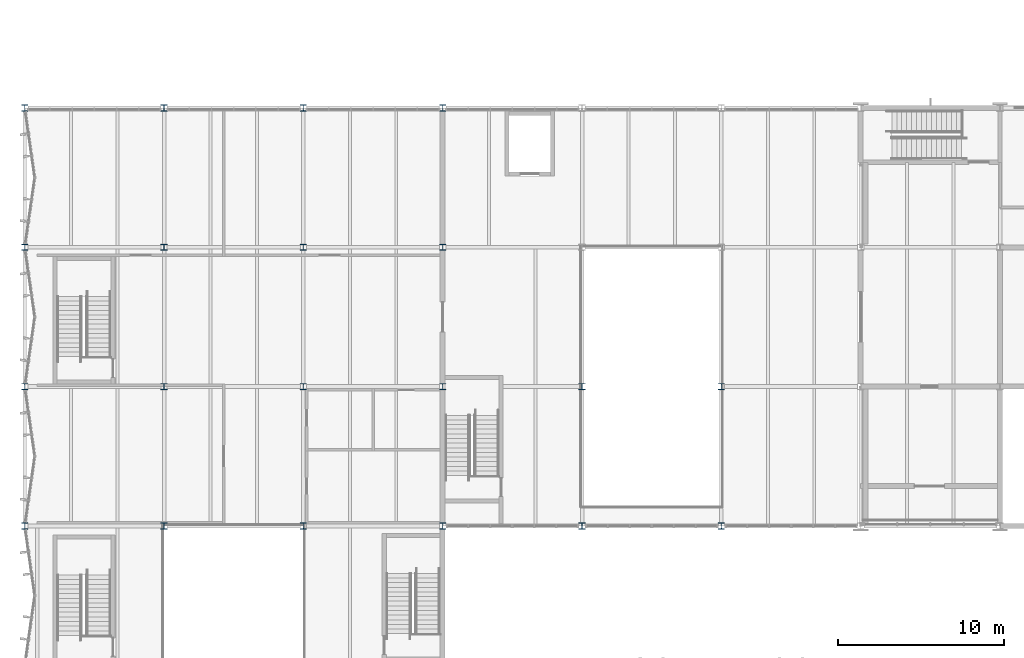
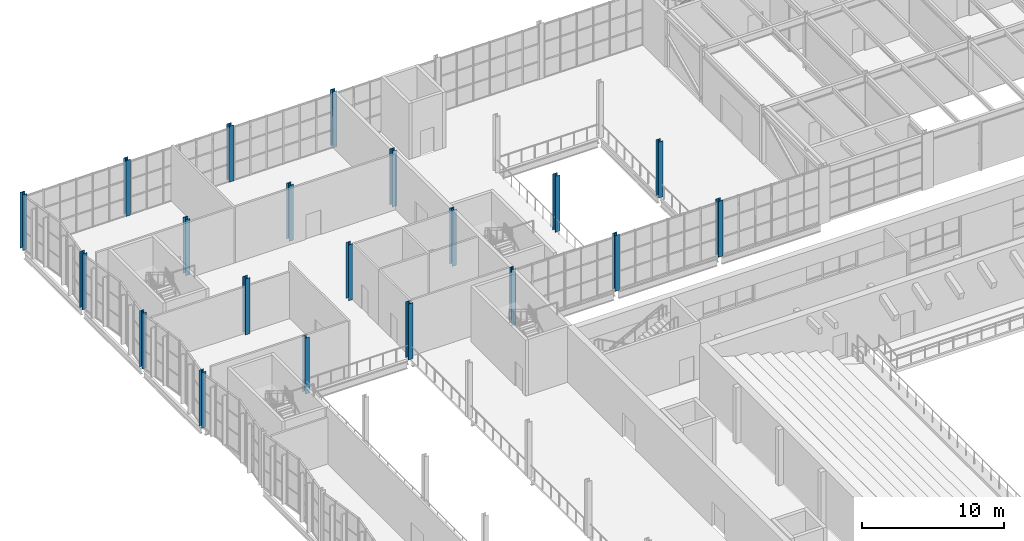
# One storey, part 9 of 127: 20 columns.
"""IFC4 building model written with IfcOpenShell, lengths in metres."""

from ifc_helpers import new_model, si_unit, direction, frame, origin, origin_2d, place, context, subcontext, project, spatial, i_section, extrude, material, material_profile, profile_set, type_object, element, save


model = new_model("IFC4")

# Units and contexts
model_context = context("Model", 3, precision=1e-05, world=origin(), true_north=direction((0.0, 1.0)))
body_context = subcontext(model_context, "Body", "Model", "MODEL_VIEW")
ifc_project = project(units=[si_unit("LENGTHUNIT", "METRE"), si_unit("AREAUNIT", "SQUARE_METRE"), si_unit("VOLUMEUNIT", "CUBIC_METRE"), si_unit("PLANEANGLEUNIT", "RADIAN"), si_unit("MASSUNIT", "GRAM", prefix="KILO")], contexts=[model_context])

# Site, building, storey
site_placement = place(None, origin())
site = spatial("IfcSite", under=ifc_project, at=site_placement, CompositionType="ELEMENT")
building_placement = place(site_placement, origin())
building = spatial("IfcBuilding", under=site, at=building_placement, Name="Ljudholm Concert House", CompositionType="ELEMENT")
storey_placement = place(building_placement, frame((0.0, 0.0, 5.39990234375)))
storey = spatial("IfcBuildingStorey", under=building, at=storey_placement, Name="L01", CompositionType="ELEMENT", Elevation=5.39990234375)

# Columns
ifc_material = material(Name="Steel ASTM A992", Category="steel")
ifc_material_profile = material_profile(ifc_material, i_section(OverallWidth=0.373291015625, OverallDepth=0.373291015625, WebThickness=0.016357421875, FlangeThickness=0.026123046875, FilletRadius=0.01513671875, at=origin_2d()), Name="W14X132")
ifc_profile_set = profile_set([ifc_material_profile], Name="Steel ASTM A992")
column_type = type_object("IfcColumnType", Name="STEEL COLUMN W14X132", PredefinedType="COLUMN", material=ifc_profile_set)
for number, where, z_axis, x_axis, name in (
    (1, (4.0, 104.800048828125, 0.0), (0.0, 0.0, 1.0), (1.0, 0.0, 0.0), "Column W14X132"),
    (2, (4.0, 113.199951171875, 0.0), (0.0, 0.0, 1.0), (1.0, 0.0, 0.0), "Column W14X132"),
    (3, (4.0, 121.60009765625, 0.0), (0.0, 0.0, 1.0), (1.0, 0.0, 0.0), "Column W14X132"),
    (4, (12.39990234375, 104.800048828125, 0.0), (0.0, 0.0, 1.0), (1.0, 0.0, 0.0), "Column W14X132"),
    (5, (12.39990234375, 113.199951171875, 0.0), (0.0, 0.0, 1.0), (1.0, 0.0, 0.0), "Column W14X132"),
    (6, (12.39990234375, 121.60009765625, 0.0), (0.0, 0.0, 1.0), (1.0, 0.0, 0.0), "Column W14X132"),
    (7, (20.800048828125, 104.800048828125, 0.0), (0.0, 0.0, 1.0), (1.0, 0.0, 0.0), "Column W14X132"),
    (8, (20.800048828125, 113.199951171875, 0.0), (0.0, 0.0, 1.0), (1.0, 0.0, 0.0), "Column W14X132"),
    (9, (20.800048828125, 121.60009765625, 0.0), (0.0, 0.0, 1.0), (1.0, 0.0, 0.0), "Column W14X132"),
    (10, (29.199951171875, 104.800048828125, 0.0), (0.0, 0.0, 1.0), (1.0, 0.0, 0.0), "Column W14X132"),
    (11, (29.199951171875, 113.199951171875, 0.0), (0.0, 0.0, 1.0), (1.0, 0.0, 0.0), "Column W14X132"),
    (12, (29.199951171875, 121.60009765625, 0.0), (0.0, 0.0, 1.0), (1.0, 0.0, 0.0), "Column W14X132"),
    (13, (4.0, 130.0, 0.0), (0.0, 0.0, 1.0), (1.0, 0.0, 0.0), "Column W14X132"),
    (14, (12.39990234375, 130.0, 0.0), (0.0, 0.0, 1.0), (1.0, 0.0, 0.0), "Column W14X132"),
    (15, (20.800048828125, 130.0, 0.0), (0.0, 0.0, 1.0), (1.0, 0.0, 0.0), "Column W14X132"),
    (16, (29.199951171875, 130.0, 0.0), (0.0, 0.0, 1.0), (1.0, 0.0, 0.0), "Column W14X132"),
    (17, (37.60009765625, 104.800048828125, 0.0), (0.0, 0.0, 1.0), (1.0, 0.0, 0.0), "Column W14X132"),
    (18, (37.60009765625, 113.199951171875, 0.0), (0.0, 0.0, 1.0), (1.0, 0.0, 0.0), "Column W14X132"),
    (19, (46.0, 104.800048828125, 0.0), (0.0, 0.0, 1.0), (1.0, 0.0, 0.0), "Column W14X132"),
    (20, (46.0, 113.199951171875, 0.0), (0.0, 0.0, 1.0), (1.0, 0.0, 0.0), "Column W14X132"),
):
    element("IfcColumn", number, at=place(storey_placement, frame(where, z_axis=z_axis, x_axis=x_axis)), inside=storey, type_object=column_type, Name=name, PredefinedType="COLUMN", context=body_context, shape_type="SweptSolid", body=[
        extrude(i_section(OverallWidth=0.373291015625, OverallDepth=0.373291015625, WebThickness=0.016357421875, FlangeThickness=0.026123046875, FilletRadius=0.01513671875, at=origin_2d()), origin(), (0.0, 0.0, 1.0), 4.800048828125),
    ])

save(model, "model.ifc")
